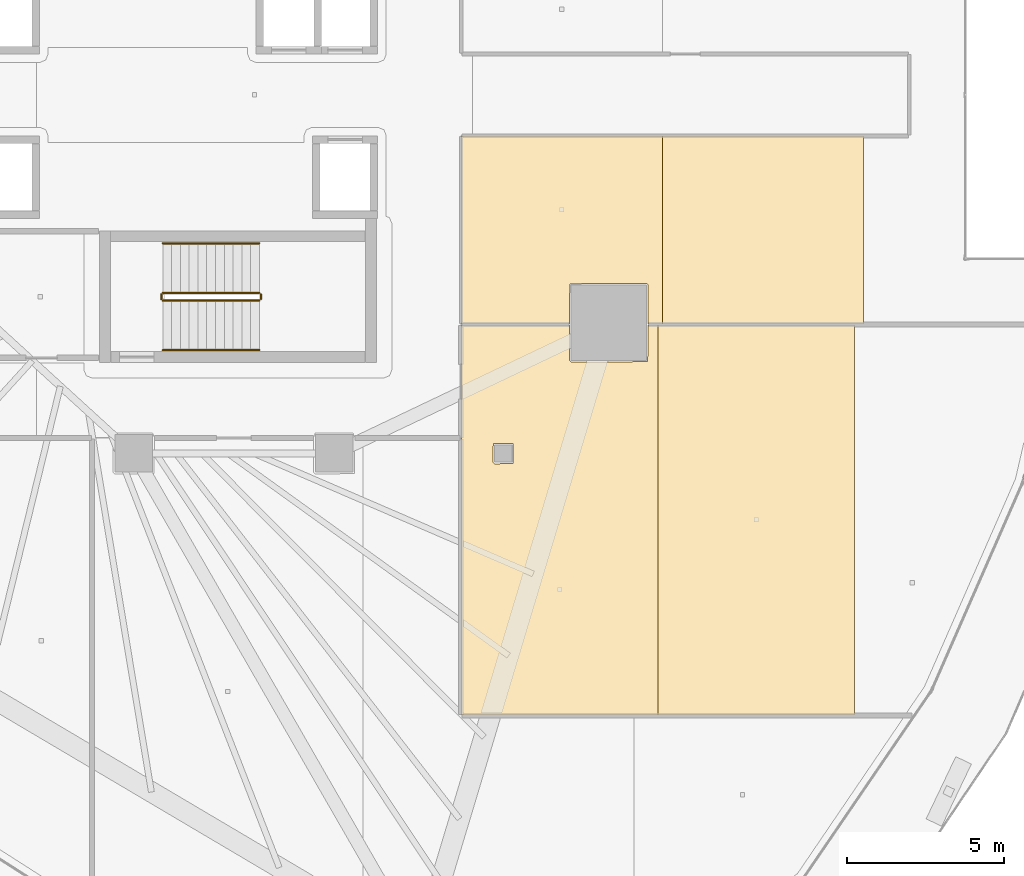
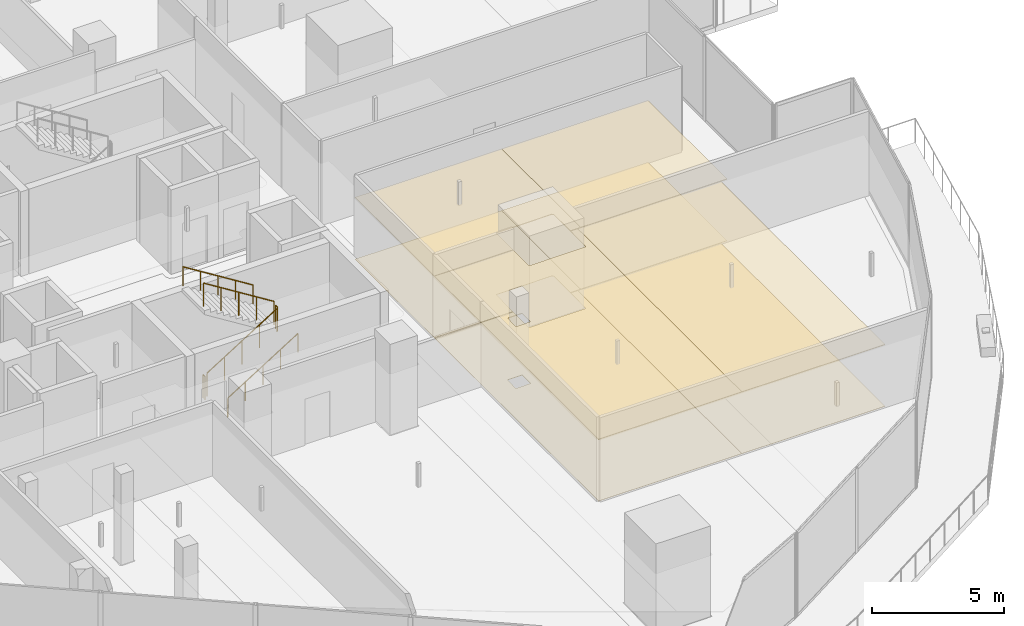
# One storey, part 39 of 44: 8 coverings, 6 railings.
"""IFC4 building model written with IfcOpenShell, lengths in metres."""

from ifc_helpers import new_model, si_unit, direction, frame, origin, origin_2d, place, context, subcontext, project, spatial, polyline, circle, outline, extrude, material, layer, layer_set, type_object, element, save


model = new_model("IFC4")

# Units and contexts
model_context = context("Model", 3, precision=1e-05, world=origin(), true_north=direction((0.0, 1.0)))
body_context = subcontext(model_context, "Body", "Model", "MODEL_VIEW")
ifc_project = project(units=[si_unit("LENGTHUNIT", "METRE"), si_unit("AREAUNIT", "SQUARE_METRE"), si_unit("VOLUMEUNIT", "CUBIC_METRE"), si_unit("PLANEANGLEUNIT", "RADIAN"), si_unit("MASSUNIT", "GRAM", prefix="KILO")], contexts=[model_context])

# Site, building, storey
site_placement = place(None, origin())
site = spatial("IfcSite", under=ifc_project, at=site_placement, CompositionType="ELEMENT")
building_placement = place(site_placement, origin())
building = spatial("IfcBuilding", under=site, at=building_placement, Name="Qorvath Tower", CompositionType="ELEMENT")
storey_placement = place(building_placement, frame((0.0, 0.0, 70.199951171875)))
storey = spatial("IfcBuildingStorey", under=building, at=storey_placement, Name="L15", CompositionType="ELEMENT", Elevation=70.199951171875)

# Coverings
ifc_material_1 = material(Name="Acoustic mineral fibre ceiling tile", Category="gypsum")
ifc_layer_1 = layer(ifc_material_1, 0.030029296875)
ifc_layer_set_1 = layer_set([ifc_layer_1], Name="COV-CEIL")
covering_type_1 = type_object("IfcCoveringType", Name="COV-CEIL", PredefinedType="CEILING", material=ifc_layer_set_1)
covering_1_placement = place(storey_placement, frame((0.0, 0.0, 2.85009765625)))
element("IfcCovering", 1, at=covering_1_placement, inside=storey, type_object=covering_type_1, Name="L15 Suspended Acoustic Ceiling 025", PredefinedType="CEILING", context=body_context, shape_type="SweptSolid", body=[
    extrude(outline(polyline([(-13.136962890625, -19.803466796875), (-6.8603515625, -19.806640625), (-6.8603515625, -7.3408203125), (-7.17041015625, -7.3408203125), (-7.18798828125, -8.518798828125), (-9.63037109375, -8.536376953125), (-9.690185546875, -8.476318359375), (-9.690185546875, -7.3408203125), (-13.136962890625, -7.3408203125), (-13.136962890625, -19.803466796875)]), holes=[polyline([(-12.135009765625, -11.72509765625), (-12.117431640625, -11.132568359375), (-11.482666015625, -11.132568359375), (-11.482666015625, -11.767333984375), (-12.074951171875, -11.784912109375), (-12.135009765625, -11.72509765625)])]), origin(), (0.0, 0.0, 1.0), 0.030029296875),
])
covering_2_placement = place(storey_placement, frame((0.0, 0.0, 2.85009765625)))
element("IfcCovering", 2, at=covering_2_placement, inside=storey, type_object=covering_type_1, Name="L15 Suspended Acoustic Ceiling 026", PredefinedType="CEILING", context=body_context, shape_type="SweptSolid", body=[
    extrude(outline(polyline([(-6.8603515625, -7.3408203125), (-6.8603515625, -19.806640625), (-0.58349609375, -19.81005859375), (-0.58349609375, -7.3408203125), (-6.8603515625, -7.3408203125)])), origin(), (0.0, 0.0, 1.0), 0.030029296875),
])
covering_3_placement = place(storey_placement, frame((0.0, 0.0, 2.85009765625)))
element("IfcCovering", 3, at=covering_3_placement, inside=storey, type_object=covering_type_1, Name="L15 Suspended Acoustic Ceiling 028", PredefinedType="CEILING", context=body_context, shape_type="SweptSolid", body=[
    extrude(outline(polyline([(-6.71728515625, -7.32275390625), (-6.71728515625, -1.310791015625), (-13.136962890625, -1.31298828125), (-13.136962890625, -7.32275390625), (-9.690185546875, -7.32275390625), (-9.672607421875, -6.033935546875), (-7.230224609375, -6.016357421875), (-7.17041015625, -6.076416015625), (-7.17041015625, -7.32275390625), (-6.71728515625, -7.32275390625)])), origin(), (0.0, 0.0, 1.0), 0.030029296875),
])
covering_4_placement = place(storey_placement, frame((0.0, 0.0, 2.85009765625)))
element("IfcCovering", 4, at=covering_4_placement, inside=storey, type_object=covering_type_1, Name="L15 Suspended Acoustic Ceiling 030", PredefinedType="CEILING", context=body_context, shape_type="SweptSolid", body=[
    extrude(outline(polyline([(-0.2978515625, -7.32275390625), (-0.2978515625, -1.30859375), (-6.71728515625, -1.310791015625), (-6.71728515625, -7.32275390625), (-0.2978515625, -7.32275390625)])), origin(), (0.0, 0.0, 1.0), 0.030029296875),
])
ifc_material_2 = material(Name="Low-VOC modular carpet tile", Category="textile")
ifc_layer_2 = layer(ifc_material_2, 0.014892578125)
ifc_layer_set_2 = layer_set([ifc_layer_2], Name="COV-FLOOR-CPT")
covering_type_2 = type_object("IfcCoveringType", Name="COV-FLOOR-CPT", PredefinedType="FLOORING", material=ifc_layer_set_2)
covering_5_placement = place(storey_placement, origin())
element("IfcCovering", 5, at=covering_5_placement, inside=storey, type_object=covering_type_2, Name="L15 Floor Finish 025", PredefinedType="FLOORING", context=body_context, shape_type="SweptSolid", body=[
    extrude(outline(polyline([(-13.136962890625, -19.803466796875), (-6.8603515625, -19.806640625), (-6.8603515625, -7.3408203125), (-7.17041015625, -7.3408203125), (-7.18798828125, -8.518798828125), (-9.63037109375, -8.536376953125), (-9.690185546875, -8.476318359375), (-9.690185546875, -7.3408203125), (-13.136962890625, -7.3408203125), (-13.136962890625, -19.803466796875)]), holes=[polyline([(-12.135009765625, -11.72509765625), (-12.117431640625, -11.132568359375), (-11.482666015625, -11.132568359375), (-11.482666015625, -11.767333984375), (-12.074951171875, -11.784912109375), (-12.135009765625, -11.72509765625)])]), origin(), (0.0, 0.0, 1.0), 0.01513671875),
])
covering_6_placement = place(storey_placement, origin())
element("IfcCovering", 6, at=covering_6_placement, inside=storey, type_object=covering_type_2, Name="L15 Floor Finish 026", PredefinedType="FLOORING", context=body_context, shape_type="SweptSolid", body=[
    extrude(outline(polyline([(-6.8603515625, -7.3408203125), (-6.8603515625, -19.806640625), (-0.58349609375, -19.81005859375), (-0.58349609375, -7.3408203125), (-6.8603515625, -7.3408203125)])), origin(), (0.0, 0.0, 1.0), 0.01513671875),
])
covering_7_placement = place(storey_placement, origin())
element("IfcCovering", 7, at=covering_7_placement, inside=storey, type_object=covering_type_2, Name="L15 Floor Finish 028", PredefinedType="FLOORING", context=body_context, shape_type="SweptSolid", body=[
    extrude(outline(polyline([(-6.71728515625, -7.32275390625), (-6.71728515625, -1.310791015625), (-13.136962890625, -1.31298828125), (-13.136962890625, -7.32275390625), (-9.690185546875, -7.32275390625), (-9.672607421875, -6.033935546875), (-7.230224609375, -6.016357421875), (-7.17041015625, -6.076416015625), (-7.17041015625, -7.32275390625), (-6.71728515625, -7.32275390625)])), origin(), (0.0, 0.0, 1.0), 0.01513671875),
])
covering_8_placement = place(storey_placement, origin())
element("IfcCovering", 8, at=covering_8_placement, inside=storey, type_object=covering_type_2, Name="L15 Floor Finish 030", PredefinedType="FLOORING", context=body_context, shape_type="SweptSolid", body=[
    extrude(outline(polyline([(-0.2978515625, -7.32275390625), (-0.2978515625, -1.30859375), (-6.71728515625, -1.310791015625), (-6.71728515625, -7.32275390625), (-0.2978515625, -7.32275390625)])), origin(), (0.0, 0.0, 1.0), 0.01513671875),
])

# Railings
ifc_material_3 = material(Name="Painted galvanised steel", Category="steel")
railing_type_1 = type_object("IfcRailingType", Name="RL-STR-GRD", PredefinedType="GUARDRAIL", material=ifc_material_3)
railing_1_placement = place(storey_placement, frame((-22.669921875, -6.570068359375, 0.175048828125)))
element("IfcRailing", 9, at=railing_1_placement, inside=storey, type_object=railing_type_1, Name="L15 TS2 stair guard 1", PredefinedType="GUARDRAIL", context=body_context, shape_type="SweptSolid", body=[
    extrude(circle(Radius=0.02392578125, at=origin_2d()), frame((0.0, 0.0, 1.076171875), z_axis=(0.847979421464, 0.0, 0.530029150871), x_axis=(0.0, 1.0, 0.0)), (0.0, 0.0, 1.0), 3.632080078125),
    extrude(circle(Radius=0.02099609375, at=origin_2d()), origin(), (0.0, 0.0, 1.0), 1.052001953125),
    extrude(circle(Radius=0.02099609375, at=origin_2d()), frame((0.77001953125, 0.0, 0.481201171875)), (0.0, 0.0, 1.0), 1.052001953125),
    extrude(circle(Radius=0.02099609375, at=origin_2d()), frame((1.5400390625, 0.0, 0.96240234375)), (0.0, 0.0, 1.0), 1.052001953125),
    extrude(circle(Radius=0.02099609375, at=origin_2d()), frame((2.309814453125, 0.0, 1.44384765625)), (0.0, 0.0, 1.0), 1.052001953125),
    extrude(circle(Radius=0.02099609375, at=origin_2d()), frame((3.079833984375, 0.0, 1.925048828125)), (0.0, 0.0, 1.0), 1.052001953125),
])
railing_2_placement = place(storey_placement, frame((-19.5400390625, -6.52001953125, 2.10009765625)))
element("IfcRailing", 10, at=railing_2_placement, inside=storey, type_object=railing_type_1, Name="L15 TS2 stair guard 2", PredefinedType="GUARDRAIL", context=body_context, shape_type="SweptSolid", body=[
    extrude(circle(Radius=0.02392578125, at=origin_2d()), frame((0.0, 0.0, 1.076171875), z_axis=(0.0, 1.0, 0.0), x_axis=(-1.0, 0.0, 0.0)), (0.0, 0.0, 1.0), 0.14990234375),
    extrude(circle(Radius=0.02099609375, at=origin_2d()), origin(), (0.0, 0.0, 1.0), 1.052001953125),
    extrude(circle(Radius=0.02099609375, at=origin_2d()), frame((0.0, 0.14990234375, 0.0)), (0.0, 0.0, 1.0), 1.052001953125),
])
railing_3_placement = place(storey_placement, frame((-19.590087890625, -6.320068359375, 2.275146484375)))
element("IfcRailing", 11, at=railing_3_placement, inside=storey, type_object=railing_type_1, Name="L15 TS2 stair guard 3", PredefinedType="GUARDRAIL", context=body_context, shape_type="SweptSolid", body=[
    extrude(circle(Radius=0.02392578125, at=origin_2d()), frame((0.0, 0.0, 1.076171875), z_axis=(-0.848009633417, 0.0, 0.529980812513), x_axis=(0.0, -1.0, 0.0)), (0.0, 0.0, 1.0), 3.6318359375),
    extrude(circle(Radius=0.02099609375, at=origin_2d()), origin(), (0.0, 0.0, 1.0), 1.052001953125),
    extrude(circle(Radius=0.02099609375, at=origin_2d()), frame((-0.77001953125, 0.0, 0.481201171875)), (0.0, 0.0, 1.0), 1.052001953125),
    extrude(circle(Radius=0.02099609375, at=origin_2d()), frame((-1.5400390625, 0.0, 0.96240234375)), (0.0, 0.0, 1.0), 1.052001953125),
    extrude(circle(Radius=0.02099609375, at=origin_2d()), frame((-2.309814453125, 0.0, 1.443603515625)), (0.0, 0.0, 1.0), 1.052001953125),
    extrude(circle(Radius=0.02099609375, at=origin_2d()), frame((-3.079833984375, 0.0, 1.9248046875)), (0.0, 0.0, 1.0), 1.052001953125),
])
railing_4_placement = place(storey_placement, frame((-22.719970703125, -6.52001953125, 0.0)))
element("IfcRailing", 12, at=railing_4_placement, inside=storey, type_object=railing_type_1, Name="L15 TS2 stair guard 4", PredefinedType="GUARDRAIL", context=body_context, shape_type="SweptSolid", body=[
    extrude(circle(Radius=0.02392578125, at=origin_2d()), frame((0.0, 0.0, 1.076171875), z_axis=(0.0, 1.0, 0.0), x_axis=(-1.0, 0.0, 0.0)), (0.0, 0.0, 1.0), 0.14990234375),
    extrude(circle(Radius=0.02099609375, at=origin_2d()), origin(), (0.0, 0.0, 1.0), 1.052001953125),
    extrude(circle(Radius=0.02099609375, at=origin_2d()), frame((0.0, 0.14990234375, 0.0)), (0.0, 0.0, 1.0), 1.052001953125),
])
ifc_material_4 = material(Name="Brushed stainless steel AISI 304", Category="steel")
railing_type_2 = type_object("IfcRailingType", Name="RL-STR-HND", PredefinedType="HANDRAIL", material=ifc_material_4)
railing_5_placement = place(storey_placement, frame((-22.669921875, -8.14990234375, 0.175048828125)))
element("IfcRailing", 13, at=railing_5_placement, inside=storey, type_object=railing_type_2, Name="L15 TS2 stair handrail 1", PredefinedType="HANDRAIL", context=body_context, shape_type="SweptSolid", body=[
    extrude(circle(Radius=0.02392578125, at=origin_2d()), frame((0.0, 0.0, 0.8759765625), z_axis=(0.847979421464, 0.0, 0.530029150871), x_axis=(0.0, 1.0, 0.0)), (0.0, 0.0, 1.0), 3.632080078125),
    extrude(circle(Radius=0.02099609375, at=origin_2d()), origin(), (0.0, 0.0, 1.0), 0.851806640625),
    extrude(circle(Radius=0.02099609375, at=origin_2d()), frame((0.77001953125, 0.0, 0.481201171875)), (0.0, 0.0, 1.0), 0.851806640625),
    extrude(circle(Radius=0.02099609375, at=origin_2d()), frame((1.5400390625, 0.0, 0.96240234375)), (0.0, 0.0, 1.0), 0.851806640625),
    extrude(circle(Radius=0.02099609375, at=origin_2d()), frame((2.309814453125, 0.0, 1.44384765625)), (0.0, 0.0, 1.0), 0.851806640625),
    extrude(circle(Radius=0.02099609375, at=origin_2d()), frame((3.079833984375, 0.0, 1.925048828125)), (0.0, 0.0, 1.0), 0.851806640625),
])
railing_6_placement = place(storey_placement, frame((-19.590087890625, -4.739990234375, 2.275146484375)))
element("IfcRailing", 14, at=railing_6_placement, inside=storey, type_object=railing_type_2, Name="L15 TS2 stair handrail 2", PredefinedType="HANDRAIL", context=body_context, shape_type="SweptSolid", body=[
    extrude(circle(Radius=0.02392578125, at=origin_2d()), frame((0.0, 0.0, 0.8759765625), z_axis=(-0.848009633417, 0.0, 0.529980812513), x_axis=(0.0, -1.0, 0.0)), (0.0, 0.0, 1.0), 3.6318359375),
    extrude(circle(Radius=0.02099609375, at=origin_2d()), origin(), (0.0, 0.0, 1.0), 0.851806640625),
    extrude(circle(Radius=0.02099609375, at=origin_2d()), frame((-0.77001953125, 0.0, 0.481201171875)), (0.0, 0.0, 1.0), 0.851806640625),
    extrude(circle(Radius=0.02099609375, at=origin_2d()), frame((-1.5400390625, 0.0, 0.96240234375)), (0.0, 0.0, 1.0), 0.851806640625),
    extrude(circle(Radius=0.02099609375, at=origin_2d()), frame((-2.309814453125, 0.0, 1.443603515625)), (0.0, 0.0, 1.0), 0.851806640625),
    extrude(circle(Radius=0.02099609375, at=origin_2d()), frame((-3.079833984375, 0.0, 1.9248046875)), (0.0, 0.0, 1.0), 0.851806640625),
])

save(model, "model.ifc")
